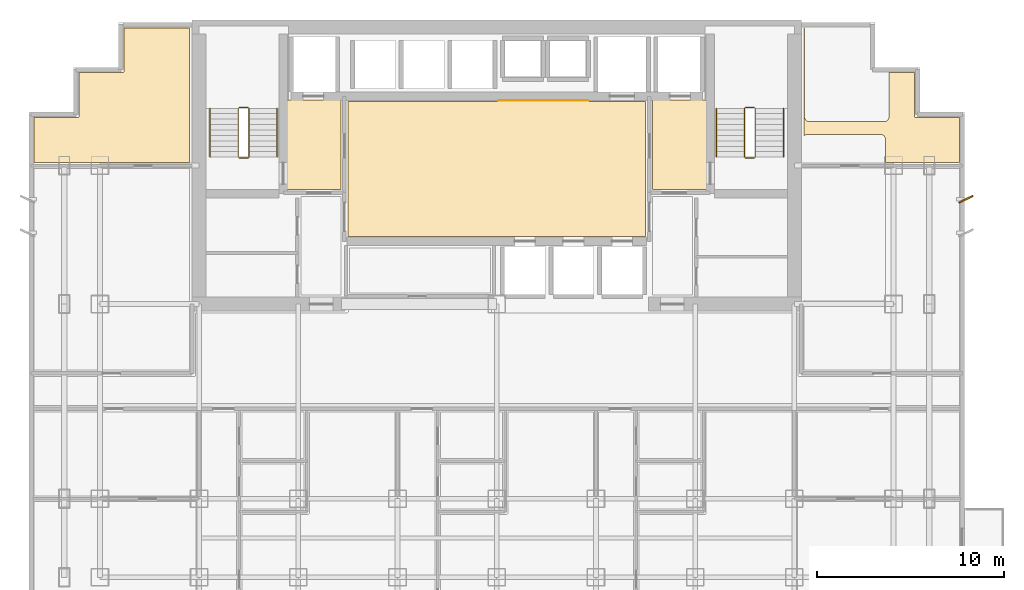
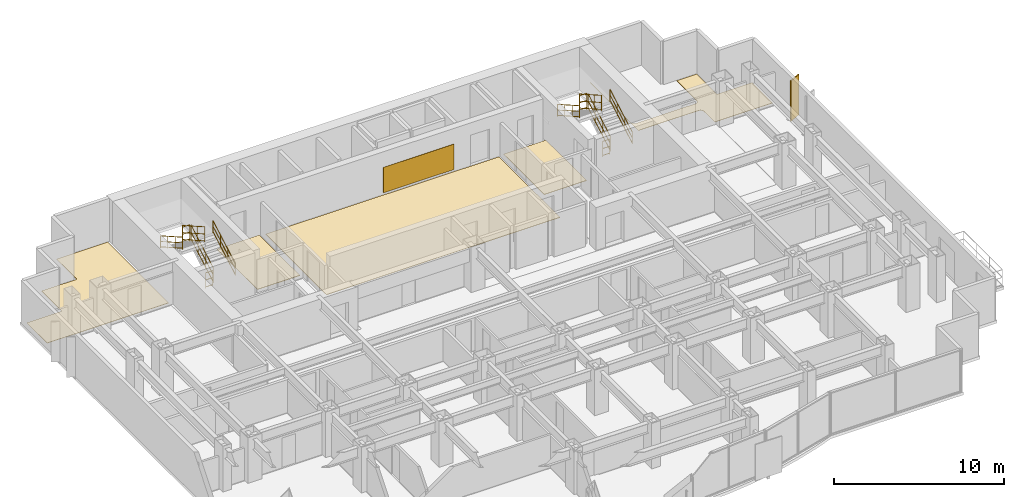
# One storey, part 9 of 9: 12 railings, 6 coverings, 1 shading device.
"""IFC4 building model written with IfcOpenShell, lengths in metres."""

from ifc_helpers import new_model, si_unit, direction, frame, origin, origin_2d, place, context, subcontext, project, spatial, polyline, rectangle, circle, outline, extrude, source, transform, mapped, material, layer, layer_set, type_object, element, save


model = new_model("IFC4")

# Units and contexts
model_context = context("Model", 3, precision=1e-05, world=origin(), true_north=direction((0.0, 1.0)))
body_context = subcontext(model_context, "Body", "Model", "MODEL_VIEW")
ifc_project = project(units=[si_unit("LENGTHUNIT", "METRE"), si_unit("AREAUNIT", "SQUARE_METRE"), si_unit("VOLUMEUNIT", "CUBIC_METRE"), si_unit("PLANEANGLEUNIT", "RADIAN"), si_unit("MASSUNIT", "GRAM", prefix="KILO")], contexts=[model_context])

# Site, building, storey
site_placement = place(None, origin())
site = spatial("IfcSite", under=ifc_project, at=site_placement, CompositionType="ELEMENT")
building_placement = place(site_placement, origin())
building = spatial("IfcBuilding", under=site, at=building_placement, Name="Qianlan Lanfeng Residences", CompositionType="ELEMENT")
storey_placement = place(building_placement, frame((0.0, 0.0, 108.10009765625)))
storey = spatial("IfcBuildingStorey", under=building, at=storey_placement, Name="L29", CompositionType="ELEMENT", Elevation=108.10009765625)

# Coverings
ifc_material_1 = material(Name="Anodised Bronze Feature Wall Cladding")
ifc_layer_1 = layer(ifc_material_1, 0.02490234375)
ifc_layer_set_1 = layer_set([ifc_layer_1], Name="Anodised Bronze Feature Wall Cladding")
covering_type_1 = type_object("IfcCoveringType", Name="CLD-BRZ-25", PredefinedType="CLADDING", material=ifc_layer_set_1)
covering_1_placement = place(storey_placement, frame((0.0, 0.0, 0.14990234375)))
element("IfcCovering", 1, at=covering_1_placement, inside=storey, type_object=covering_type_1, Name="L29 Lift Lobby Bronze Feature Cladding", PredefinedType="CLADDING", context=body_context, shape_type="SweptSolid", body=[
    extrude(outline(polyline([(26.60009765625, 36.050048828125), (31.39990234375, 36.050048828125), (31.39990234375, 36.074951171875), (26.60009765625, 36.074951171875), (26.60009765625, 36.050048828125)])), origin(), (0.0, 0.0, 1.0), 1.830078125),
])
ifc_material_2 = material(Name="Honed Taitung Granite Stone Flooring", Category="masonry")
ifc_layer_2 = layer(ifc_material_2, 0.030029296875)
ifc_layer_set_2 = layer_set([ifc_layer_2], Name="Honed Taitung Granite Stone Flooring")
covering_type_2 = type_object("IfcCoveringType", Name="FLR-STN-30", PredefinedType="FLOORING", material=ifc_layer_set_2)
covering_2_placement = place(storey_placement, origin())
element("IfcCovering", 2, at=covering_2_placement, inside=storey, type_object=covering_type_2, Name="L29 Firefighting Lift Lobby Floor Finish", PredefinedType="FLOORING", context=body_context, shape_type="SweptSolid", body=[
    extrude(outline(polyline([(15.2900390625, 31.320068359375), (18.179931640625, 31.320068359375), (18.179931640625, 36.110107421875), (15.2900390625, 36.110107421875), (15.2900390625, 31.320068359375)])), origin(), (0.0, 0.0, 1.0), 0.02978515625),
])
covering_3_placement = place(storey_placement, origin())
element("IfcCovering", 3, at=covering_3_placement, inside=storey, type_object=covering_type_2, Name="L29 Firefighting Lift Lobby Floor Finish", PredefinedType="FLOORING", context=body_context, shape_type="SweptSolid", body=[
    extrude(outline(polyline([(34.820068359375, 31.320068359375), (37.7099609375, 31.320068359375), (37.7099609375, 36.110107421875), (34.820068359375, 36.110107421875), (34.820068359375, 31.320068359375)])), origin(), (0.0, 0.0, 1.0), 0.02978515625),
])
covering_4_placement = place(storey_placement, origin())
element("IfcCovering", 4, at=covering_4_placement, inside=storey, type_object=covering_type_2, Name="L29 Lift Lobby Floor Finish", PredefinedType="FLOORING", context=body_context, shape_type="SweptSolid", body=[
    extrude(outline(polyline([(18.550048828125, 28.820068359375), (34.449951171875, 28.820068359375), (34.449951171875, 36.010009765625), (18.550048828125, 36.010009765625), (18.550048828125, 28.820068359375)])), origin(), (0.0, 0.0, 1.0), 0.02978515625),
])
ifc_material_3 = material(Name="Engineered Smoked Oak Timber Flooring", Category="wood")
ifc_layer_3 = layer(ifc_material_3, 0.02197265625)
ifc_layer_set_3 = layer_set([ifc_layer_3], Name="Engineered Smoked Oak Timber Flooring")
covering_type_3 = type_object("IfcCoveringType", Name="FLR-TIM-22", PredefinedType="FLOORING", material=ifc_layer_set_3)
covering_5_placement = place(storey_placement, origin())
element("IfcCovering", 5, at=covering_5_placement, inside=storey, type_object=covering_type_3, Name="L29 Resident Lounge Floor Finish", PredefinedType="FLOORING", context=body_context, shape_type="SweptSolid", body=[
    extrude(outline(polyline([(1.7900390625, 32.75), (10.074951171875, 32.75), (10.074951171875, 39.9599609375), (6.590087890625, 39.9599609375), (6.590087890625, 37.6298828125), (6.590087890625, 37.623046875), (6.589111328125, 37.615966796875), (6.5869140625, 37.610107421875), (6.5849609375, 37.60302734375), (6.58203125, 37.596923828125), (6.577880859375, 37.591064453125), (6.573974609375, 37.5859375), (6.569091796875, 37.5810546875), (6.56396484375, 37.575927734375), (6.55908203125, 37.572021484375), (6.552978515625, 37.568115234375), (6.547119140625, 37.56494140625), (6.5400390625, 37.56298828125), (6.533935546875, 37.56103515625), (6.527099609375, 37.56005859375), (6.52001953125, 37.56005859375), (4.18994140625, 37.56005859375), (4.18994140625, 35.22998046875), (4.18994140625, 35.222900390625), (4.18896484375, 35.216064453125), (4.18701171875, 35.2099609375), (4.18505859375, 35.202880859375), (4.181884765625, 35.197021484375), (4.177978515625, 35.19091796875), (4.174072265625, 35.18603515625), (4.1689453125, 35.180908203125), (4.1640625, 35.176025390625), (4.158935546875, 35.172119140625), (4.153076171875, 35.16796875), (4.14697265625, 35.1650390625), (4.139892578125, 35.1630859375), (4.134033203125, 35.160888671875), (4.126953125, 35.159912109375), (4.1201171875, 35.159912109375), (1.7900390625, 35.159912109375), (1.7900390625, 32.75)])), origin(), (0.0, 0.0, 1.0), 0.02197265625),
])
covering_6_placement = place(storey_placement, origin())
element("IfcCovering", 6, at=covering_6_placement, inside=storey, type_object=covering_type_3, Name="L29 Resident Lounge Floor Finish", PredefinedType="FLOORING", context=body_context, shape_type="SweptSolid", body=[
    extrude(outline(polyline([(42.925048828125, 34.196044921875), (42.94091796875, 34.2080078125), (42.9619140625, 34.219970703125), (42.98388671875, 34.23095703125), (43.007080078125, 34.239013671875), (43.031005859375, 34.2451171875), (43.054931640625, 34.2490234375), (43.080078125, 34.25), (47.02001953125, 34.25), (47.044921875, 34.2490234375), (47.069091796875, 34.2451171875), (47.093017578125, 34.239013671875), (47.115966796875, 34.23095703125), (47.137939453125, 34.219970703125), (47.158935546875, 34.2080078125), (47.178955078125, 34.193115234375), (47.197021484375, 34.177001953125), (47.212890625, 34.158935546875), (47.22802734375, 34.138916015625), (47.239990234375, 34.117919921875), (47.2509765625, 34.095947265625), (47.259033203125, 34.072998046875), (47.264892578125, 34.049072265625), (47.26904296875, 34.02490234375), (47.27001953125, 34.0), (47.27001953125, 32.75), (51.2099609375, 32.75), (51.2099609375, 35.159912109375), (48.8798828125, 35.159912109375), (48.873046875, 35.159912109375), (48.865966796875, 35.160888671875), (48.860107421875, 35.1630859375), (48.85302734375, 35.1650390625), (48.846923828125, 35.16796875), (48.841064453125, 35.172119140625), (48.8359375, 35.176025390625), (48.8310546875, 35.180908203125), (48.825927734375, 35.18603515625), (48.822021484375, 35.19091796875), (48.818115234375, 35.197021484375), (48.81494140625, 35.202880859375), (48.81298828125, 35.2099609375), (48.81103515625, 35.216064453125), (48.81005859375, 35.222900390625), (48.81005859375, 35.22998046875), (48.81005859375, 37.56005859375), (47.449951171875, 37.56005859375), (47.449951171875, 35.199951171875), (47.448974609375, 35.175048828125), (47.445068359375, 35.15087890625), (47.43896484375, 35.126953125), (47.430908203125, 35.10400390625), (47.419921875, 35.08203125), (47.407958984375, 35.06103515625), (47.39306640625, 35.041015625), (47.376953125, 35.02294921875), (47.35888671875, 35.007080078125), (47.339111328125, 34.991943359375), (47.318115234375, 34.97998046875), (47.2958984375, 34.968994140625), (47.27294921875, 34.9609375), (47.2490234375, 34.955078125), (47.22509765625, 34.950927734375), (47.199951171875, 34.949951171875), (43.199951171875, 34.949951171875), (43.175048828125, 34.950927734375), (43.15087890625, 34.955078125), (43.126953125, 34.9609375), (43.10400390625, 34.968994140625), (43.08203125, 34.97998046875), (43.06103515625, 34.991943359375), (43.041015625, 35.007080078125), (43.02294921875, 35.02294921875), (43.007080078125, 35.041015625), (42.991943359375, 35.06103515625), (42.97998046875, 35.08203125), (42.968994140625, 35.10400390625), (42.9609375, 35.126953125), (42.955078125, 35.15087890625), (42.950927734375, 35.175048828125), (42.949951171875, 35.199951171875), (42.949951171875, 39.9599609375), (42.925048828125, 39.9599609375), (42.925048828125, 34.196044921875)])), origin(), (0.0, 0.0, 1.0), 0.02197265625),
])

# Railings
ifc_material_4 = material(Name="Painted Galvanised Steel Guardrail", Category="steel")
railing_type_1 = type_object("IfcRailingType", Name="GR-ST-1120", PredefinedType="GUARDRAIL", material=ifc_material_4)
railing_1_placement = place(storey_placement, frame((13.27001953125, 33.050048828125, 0.164794921875)))
element("IfcRailing", 7, at=railing_1_placement, inside=storey, type_object=railing_type_1, Name="L29 ST-1 stair guard 1", PredefinedType="GUARDRAIL", context=body_context, shape_type="SweptSolid", body=[
    extrude(circle(Radius=0.02392578125, at=origin_2d()), frame((0.0, 0.0, 0.083984375), z_axis=(0.0, 0.869137319866, 0.494570843475), x_axis=(-1.0, 0.0, 0.0)), (0.0, 0.0, 1.0), 3.0029296875),
    extrude(circle(Radius=0.02392578125, at=origin_2d()), frame((0.0, 0.0, 0.58251953125), z_axis=(0.0, 0.869137319866, 0.494570843475), x_axis=(-1.0, 0.0, 0.0)), (0.0, 0.0, 1.0), 3.0029296875),
    extrude(circle(Radius=0.02392578125, at=origin_2d()), frame((0.0, 0.0, 1.09619140625), z_axis=(0.0, 0.869137319866, 0.494570843475), x_axis=(-1.0, 0.0, 0.0)), (0.0, 0.0, 1.0), 3.0029296875),
    extrude(circle(Radius=0.02099609375, at=origin_2d()), origin(), (0.0, 0.0, 1.0), 1.072021484375),
    extrude(circle(Radius=0.02099609375, at=origin_2d()), frame((0.0, 0.869873046875, 0.4951171875)), (0.0, 0.0, 1.0), 1.072021484375),
    extrude(circle(Radius=0.02099609375, at=origin_2d()), frame((0.0, 1.739990234375, 0.989990234375)), (0.0, 0.0, 1.0), 1.072021484375),
    extrude(circle(Radius=0.02099609375, at=origin_2d()), frame((0.0, 2.60986328125, 1.485107421875)), (0.0, 0.0, 1.0), 1.072021484375),
])
railing_2_placement = place(storey_placement, frame((13.219970703125, 35.7099609375, 1.64990234375)))
element("IfcRailing", 8, at=railing_2_placement, inside=storey, type_object=railing_type_1, Name="L29 ST-1 stair guard 2", PredefinedType="GUARDRAIL", context=body_context, shape_type="SweptSolid", body=[
    extrude(circle(Radius=0.02392578125, at=origin_2d()), frame((0.0, 0.0, 0.083984375), z_axis=(-1.0, 0.0, 0.0), x_axis=(0.0, -1.0, 0.0)), (0.0, 0.0, 1.0), 0.47998046875),
    extrude(circle(Radius=0.02392578125, at=origin_2d()), frame((0.0, 0.0, 0.58251953125), z_axis=(-1.0, 0.0, 0.0), x_axis=(0.0, -1.0, 0.0)), (0.0, 0.0, 1.0), 0.47998046875),
    extrude(circle(Radius=0.02392578125, at=origin_2d()), frame((0.0, 0.0, 1.09619140625), z_axis=(-1.0, 0.0, 0.0), x_axis=(0.0, -1.0, 0.0)), (0.0, 0.0, 1.0), 0.47998046875),
    extrude(circle(Radius=0.02099609375, at=origin_2d()), origin(), (0.0, 0.0, 1.0), 1.072021484375),
    extrude(circle(Radius=0.02099609375, at=origin_2d()), frame((-0.47998046875, 0.0, 0.0)), (0.0, 0.0, 1.0), 1.072021484375),
])
railing_3_placement = place(storey_placement, frame((12.68994140625, 35.659912109375, 1.81494140625)))
element("IfcRailing", 9, at=railing_3_placement, inside=storey, type_object=railing_type_1, Name="L29 ST-1 stair guard 3", PredefinedType="GUARDRAIL", context=body_context, shape_type="SweptSolid", body=[
    extrude(circle(Radius=0.02392578125, at=origin_2d()), frame((0.0, 0.0, 0.083984375), z_axis=(0.0, -0.869172267526, 0.494509422927), x_axis=(1.0, 0.0, 0.0)), (0.0, 0.0, 1.0), 3.002685546875),
    extrude(circle(Radius=0.02392578125, at=origin_2d()), frame((0.0, 0.0, 0.58251953125), z_axis=(0.0, -0.869172267526, 0.494509422927), x_axis=(1.0, 0.0, 0.0)), (0.0, 0.0, 1.0), 3.002685546875),
    extrude(circle(Radius=0.02392578125, at=origin_2d()), frame((0.0, 0.0, 1.09619140625), z_axis=(0.0, -0.869172267526, 0.494509422927), x_axis=(1.0, 0.0, 0.0)), (0.0, 0.0, 1.0), 3.002685546875),
    extrude(circle(Radius=0.02099609375, at=origin_2d()), origin(), (0.0, 0.0, 1.0), 1.072021484375),
    extrude(circle(Radius=0.02099609375, at=origin_2d()), frame((0.0, -0.869873046875, 0.494873046875)), (0.0, 0.0, 1.0), 1.072021484375),
    extrude(circle(Radius=0.02099609375, at=origin_2d()), frame((0.0, -1.739990234375, 0.989990234375)), (0.0, 0.0, 1.0), 1.072021484375),
    extrude(circle(Radius=0.02099609375, at=origin_2d()), frame((0.0, -2.60986328125, 1.48486328125)), (0.0, 0.0, 1.0), 1.072021484375),
])
railing_4_placement = place(storey_placement, frame((13.219970703125, 33.0, 0.0)))
element("IfcRailing", 10, at=railing_4_placement, inside=storey, type_object=railing_type_1, Name="L29 ST-1 stair guard 4", PredefinedType="GUARDRAIL", context=body_context, shape_type="SweptSolid", body=[
    extrude(circle(Radius=0.02392578125, at=origin_2d()), frame((0.0, 0.0, 0.083984375), z_axis=(-1.0, 0.0, 0.0), x_axis=(0.0, -1.0, 0.0)), (0.0, 0.0, 1.0), 0.47998046875),
    extrude(circle(Radius=0.02392578125, at=origin_2d()), frame((0.0, 0.0, 0.58251953125), z_axis=(-1.0, 0.0, 0.0), x_axis=(0.0, -1.0, 0.0)), (0.0, 0.0, 1.0), 0.47998046875),
    extrude(circle(Radius=0.02392578125, at=origin_2d()), frame((0.0, 0.0, 1.09619140625), z_axis=(-1.0, 0.0, 0.0), x_axis=(0.0, -1.0, 0.0)), (0.0, 0.0, 1.0), 0.47998046875),
    extrude(circle(Radius=0.02099609375, at=origin_2d()), origin(), (0.0, 0.0, 1.0), 1.072021484375),
    extrude(circle(Radius=0.02099609375, at=origin_2d()), frame((-0.47998046875, 0.0, 0.0)), (0.0, 0.0, 1.0), 1.072021484375),
])
railing_5_placement = place(storey_placement, frame((40.31005859375, 33.050048828125, 0.164794921875)))
element("IfcRailing", 11, at=railing_5_placement, inside=storey, type_object=railing_type_1, Name="L29 ST-2 stair guard 1", PredefinedType="GUARDRAIL", context=body_context, shape_type="SweptSolid", body=[
    extrude(circle(Radius=0.02392578125, at=origin_2d()), frame((0.0, 0.0, 0.083984375), z_axis=(0.0, 0.869137319866, 0.494570843475), x_axis=(-1.0, 0.0, 0.0)), (0.0, 0.0, 1.0), 3.0029296875),
    extrude(circle(Radius=0.02392578125, at=origin_2d()), frame((0.0, 0.0, 0.58251953125), z_axis=(0.0, 0.869137319866, 0.494570843475), x_axis=(-1.0, 0.0, 0.0)), (0.0, 0.0, 1.0), 3.0029296875),
    extrude(circle(Radius=0.02392578125, at=origin_2d()), frame((0.0, 0.0, 1.09619140625), z_axis=(0.0, 0.869137319866, 0.494570843475), x_axis=(-1.0, 0.0, 0.0)), (0.0, 0.0, 1.0), 3.0029296875),
    extrude(circle(Radius=0.02099609375, at=origin_2d()), origin(), (0.0, 0.0, 1.0), 1.072021484375),
    extrude(circle(Radius=0.02099609375, at=origin_2d()), frame((0.0, 0.869873046875, 0.4951171875)), (0.0, 0.0, 1.0), 1.072021484375),
    extrude(circle(Radius=0.02099609375, at=origin_2d()), frame((0.0, 1.739990234375, 0.989990234375)), (0.0, 0.0, 1.0), 1.072021484375),
    extrude(circle(Radius=0.02099609375, at=origin_2d()), frame((0.0, 2.60986328125, 1.485107421875)), (0.0, 0.0, 1.0), 1.072021484375),
])
railing_6_placement = place(storey_placement, frame((40.260009765625, 35.7099609375, 1.64990234375)))
element("IfcRailing", 12, at=railing_6_placement, inside=storey, type_object=railing_type_1, Name="L29 ST-2 stair guard 2", PredefinedType="GUARDRAIL", context=body_context, shape_type="SweptSolid", body=[
    extrude(circle(Radius=0.02392578125, at=origin_2d()), frame((0.0, 0.0, 0.083984375), z_axis=(-1.0, 0.0, 0.0), x_axis=(0.0, -1.0, 0.0)), (0.0, 0.0, 1.0), 0.47998046875),
    extrude(circle(Radius=0.02392578125, at=origin_2d()), frame((0.0, 0.0, 0.58251953125), z_axis=(-1.0, 0.0, 0.0), x_axis=(0.0, -1.0, 0.0)), (0.0, 0.0, 1.0), 0.47998046875),
    extrude(circle(Radius=0.02392578125, at=origin_2d()), frame((0.0, 0.0, 1.09619140625), z_axis=(-1.0, 0.0, 0.0), x_axis=(0.0, -1.0, 0.0)), (0.0, 0.0, 1.0), 0.47998046875),
    extrude(circle(Radius=0.02099609375, at=origin_2d()), origin(), (0.0, 0.0, 1.0), 1.072021484375),
    extrude(circle(Radius=0.02099609375, at=origin_2d()), frame((-0.47998046875, 0.0, 0.0)), (0.0, 0.0, 1.0), 1.072021484375),
])
railing_7_placement = place(storey_placement, frame((39.72998046875, 35.659912109375, 1.81494140625)))
element("IfcRailing", 13, at=railing_7_placement, inside=storey, type_object=railing_type_1, Name="L29 ST-2 stair guard 3", PredefinedType="GUARDRAIL", context=body_context, shape_type="SweptSolid", body=[
    extrude(circle(Radius=0.02392578125, at=origin_2d()), frame((0.0, 0.0, 0.083984375), z_axis=(0.0, -0.869172267526, 0.494509422927), x_axis=(1.0, 0.0, 0.0)), (0.0, 0.0, 1.0), 3.002685546875),
    extrude(circle(Radius=0.02392578125, at=origin_2d()), frame((0.0, 0.0, 0.58251953125), z_axis=(0.0, -0.869172267526, 0.494509422927), x_axis=(1.0, 0.0, 0.0)), (0.0, 0.0, 1.0), 3.002685546875),
    extrude(circle(Radius=0.02392578125, at=origin_2d()), frame((0.0, 0.0, 1.09619140625), z_axis=(0.0, -0.869172267526, 0.494509422927), x_axis=(1.0, 0.0, 0.0)), (0.0, 0.0, 1.0), 3.002685546875),
    extrude(circle(Radius=0.02099609375, at=origin_2d()), origin(), (0.0, 0.0, 1.0), 1.072021484375),
    extrude(circle(Radius=0.02099609375, at=origin_2d()), frame((0.0, -0.869873046875, 0.494873046875)), (0.0, 0.0, 1.0), 1.072021484375),
    extrude(circle(Radius=0.02099609375, at=origin_2d()), frame((0.0, -1.739990234375, 0.989990234375)), (0.0, 0.0, 1.0), 1.072021484375),
    extrude(circle(Radius=0.02099609375, at=origin_2d()), frame((0.0, -2.60986328125, 1.48486328125)), (0.0, 0.0, 1.0), 1.072021484375),
])
railing_8_placement = place(storey_placement, frame((40.260009765625, 33.0, 0.0)))
element("IfcRailing", 14, at=railing_8_placement, inside=storey, type_object=railing_type_1, Name="L29 ST-2 stair guard 4", PredefinedType="GUARDRAIL", context=body_context, shape_type="SweptSolid", body=[
    extrude(circle(Radius=0.02392578125, at=origin_2d()), frame((0.0, 0.0, 0.083984375), z_axis=(-1.0, 0.0, 0.0), x_axis=(0.0, -1.0, 0.0)), (0.0, 0.0, 1.0), 0.47998046875),
    extrude(circle(Radius=0.02392578125, at=origin_2d()), frame((0.0, 0.0, 0.58251953125), z_axis=(-1.0, 0.0, 0.0), x_axis=(0.0, -1.0, 0.0)), (0.0, 0.0, 1.0), 0.47998046875),
    extrude(circle(Radius=0.02392578125, at=origin_2d()), frame((0.0, 0.0, 1.09619140625), z_axis=(-1.0, 0.0, 0.0), x_axis=(0.0, -1.0, 0.0)), (0.0, 0.0, 1.0), 0.47998046875),
    extrude(circle(Radius=0.02099609375, at=origin_2d()), origin(), (0.0, 0.0, 1.0), 1.072021484375),
    extrude(circle(Radius=0.02099609375, at=origin_2d()), frame((-0.47998046875, 0.0, 0.0)), (0.0, 0.0, 1.0), 1.072021484375),
])
ifc_material_5 = material(Name="Brushed Stainless Steel Handrail", Category="steel")
railing_type_2 = type_object("IfcRailingType", Name="HR-ST-920", PredefinedType="HANDRAIL", material=ifc_material_5)
railing_9_placement = place(storey_placement, frame((14.77001953125, 33.050048828125, 0.164794921875)))
element("IfcRailing", 15, at=railing_9_placement, inside=storey, type_object=railing_type_2, Name="L29 ST-1 stair handrail 1", PredefinedType="HANDRAIL", context=body_context, shape_type="SweptSolid", body=[
    extrude(circle(Radius=0.02392578125, at=origin_2d()), frame((0.0, 0.0, 0.083984375), z_axis=(0.0, 0.869137319866, 0.494570843475), x_axis=(-1.0, 0.0, 0.0)), (0.0, 0.0, 1.0), 3.0029296875),
    extrude(circle(Radius=0.02392578125, at=origin_2d()), frame((0.0, 0.0, 0.468017578125), z_axis=(0.0, 0.869137319866, 0.494570843475), x_axis=(-1.0, 0.0, 0.0)), (0.0, 0.0, 1.0), 3.0029296875),
    extrude(circle(Radius=0.02392578125, at=origin_2d()), frame((0.0, 0.0, 0.8759765625), z_axis=(0.0, 0.869137319866, 0.494570843475), x_axis=(-1.0, 0.0, 0.0)), (0.0, 0.0, 1.0), 3.0029296875),
    extrude(circle(Radius=0.02099609375, at=origin_2d()), origin(), (0.0, 0.0, 1.0), 0.851806640625),
    extrude(circle(Radius=0.02099609375, at=origin_2d()), frame((0.0, 0.869873046875, 0.4951171875)), (0.0, 0.0, 1.0), 0.851806640625),
    extrude(circle(Radius=0.02099609375, at=origin_2d()), frame((0.0, 1.739990234375, 0.989990234375)), (0.0, 0.0, 1.0), 0.851806640625),
    extrude(circle(Radius=0.02099609375, at=origin_2d()), frame((0.0, 2.60986328125, 1.485107421875)), (0.0, 0.0, 1.0), 0.851806640625),
])
railing_10_placement = place(storey_placement, frame((11.18994140625, 35.659912109375, 1.81494140625)))
element("IfcRailing", 16, at=railing_10_placement, inside=storey, type_object=railing_type_2, Name="L29 ST-1 stair handrail 2", PredefinedType="HANDRAIL", context=body_context, shape_type="SweptSolid", body=[
    extrude(circle(Radius=0.02392578125, at=origin_2d()), frame((0.0, 0.0, 0.083984375), z_axis=(0.0, -0.869172267526, 0.494509422927), x_axis=(1.0, 0.0, 0.0)), (0.0, 0.0, 1.0), 3.002685546875),
    extrude(circle(Radius=0.02392578125, at=origin_2d()), frame((0.0, 0.0, 0.468017578125), z_axis=(0.0, -0.869172267526, 0.494509422927), x_axis=(1.0, 0.0, 0.0)), (0.0, 0.0, 1.0), 3.002685546875),
    extrude(circle(Radius=0.02392578125, at=origin_2d()), frame((0.0, 0.0, 0.8759765625), z_axis=(0.0, -0.869172267526, 0.494509422927), x_axis=(1.0, 0.0, 0.0)), (0.0, 0.0, 1.0), 3.002685546875),
    extrude(circle(Radius=0.02099609375, at=origin_2d()), origin(), (0.0, 0.0, 1.0), 0.851806640625),
    extrude(circle(Radius=0.02099609375, at=origin_2d()), frame((0.0, -0.869873046875, 0.494873046875)), (0.0, 0.0, 1.0), 0.851806640625),
    extrude(circle(Radius=0.02099609375, at=origin_2d()), frame((0.0, -1.739990234375, 0.989990234375)), (0.0, 0.0, 1.0), 0.851806640625),
    extrude(circle(Radius=0.02099609375, at=origin_2d()), frame((0.0, -2.60986328125, 1.48486328125)), (0.0, 0.0, 1.0), 0.851806640625),
])
railing_11_placement = place(storey_placement, frame((41.81005859375, 33.050048828125, 0.164794921875)))
element("IfcRailing", 17, at=railing_11_placement, inside=storey, type_object=railing_type_2, Name="L29 ST-2 stair handrail 1", PredefinedType="HANDRAIL", context=body_context, shape_type="SweptSolid", body=[
    extrude(circle(Radius=0.02392578125, at=origin_2d()), frame((0.0, 0.0, 0.083984375), z_axis=(0.0, 0.869137319866, 0.494570843475), x_axis=(-1.0, 0.0, 0.0)), (0.0, 0.0, 1.0), 3.0029296875),
    extrude(circle(Radius=0.02392578125, at=origin_2d()), frame((0.0, 0.0, 0.468017578125), z_axis=(0.0, 0.869137319866, 0.494570843475), x_axis=(-1.0, 0.0, 0.0)), (0.0, 0.0, 1.0), 3.0029296875),
    extrude(circle(Radius=0.02392578125, at=origin_2d()), frame((0.0, 0.0, 0.8759765625), z_axis=(0.0, 0.869137319866, 0.494570843475), x_axis=(-1.0, 0.0, 0.0)), (0.0, 0.0, 1.0), 3.0029296875),
    extrude(circle(Radius=0.02099609375, at=origin_2d()), origin(), (0.0, 0.0, 1.0), 0.851806640625),
    extrude(circle(Radius=0.02099609375, at=origin_2d()), frame((0.0, 0.869873046875, 0.4951171875)), (0.0, 0.0, 1.0), 0.851806640625),
    extrude(circle(Radius=0.02099609375, at=origin_2d()), frame((0.0, 1.739990234375, 0.989990234375)), (0.0, 0.0, 1.0), 0.851806640625),
    extrude(circle(Radius=0.02099609375, at=origin_2d()), frame((0.0, 2.60986328125, 1.485107421875)), (0.0, 0.0, 1.0), 0.851806640625),
])
railing_12_placement = place(storey_placement, frame((38.22998046875, 35.659912109375, 1.81494140625)))
element("IfcRailing", 18, at=railing_12_placement, inside=storey, type_object=railing_type_2, Name="L29 ST-2 stair handrail 2", PredefinedType="HANDRAIL", context=body_context, shape_type="SweptSolid", body=[
    extrude(circle(Radius=0.02392578125, at=origin_2d()), frame((0.0, 0.0, 0.083984375), z_axis=(0.0, -0.869172267526, 0.494509422927), x_axis=(1.0, 0.0, 0.0)), (0.0, 0.0, 1.0), 3.002685546875),
    extrude(circle(Radius=0.02392578125, at=origin_2d()), frame((0.0, 0.0, 0.468017578125), z_axis=(0.0, -0.869172267526, 0.494509422927), x_axis=(1.0, 0.0, 0.0)), (0.0, 0.0, 1.0), 3.002685546875),
    extrude(circle(Radius=0.02392578125, at=origin_2d()), frame((0.0, 0.0, 0.8759765625), z_axis=(0.0, -0.869172267526, 0.494509422927), x_axis=(1.0, 0.0, 0.0)), (0.0, 0.0, 1.0), 3.002685546875),
    extrude(circle(Radius=0.02099609375, at=origin_2d()), origin(), (0.0, 0.0, 1.0), 0.851806640625),
    extrude(circle(Radius=0.02099609375, at=origin_2d()), frame((0.0, -0.869873046875, 0.494873046875)), (0.0, 0.0, 1.0), 0.851806640625),
    extrude(circle(Radius=0.02099609375, at=origin_2d()), frame((0.0, -1.739990234375, 0.989990234375)), (0.0, 0.0, 1.0), 0.851806640625),
    extrude(circle(Radius=0.02099609375, at=origin_2d()), frame((0.0, -2.60986328125, 1.48486328125)), (0.0, 0.0, 1.0), 0.851806640625),
])

# Shading device
ifc_material_6 = material(Name="Anodised Bronze Aluminium Solar Fin", Category="aluminium")
shading_device_type = type_object("IfcShadingDeviceType", Name="FIN-BRZ-850", PredefinedType="SHUTTER", material=ifc_material_6)
shared_shape = source(origin(), body_context, "Body", "SweptSolid", [
    extrude(rectangle(XDim=0.85009765625, YDim=0.080078125, at=origin_2d()), origin(), (0.0, 0.0, 1.0), 2.89990234375),
])
shading_device_placement = place(storey_placement, frame((51.570068359375, 30.800048828125, 0.0), z_axis=(0.0, 0.0, 1.0), x_axis=(0.898794046299, 0.438371146789, 0.0)))
element("IfcShadingDevice", 19, at=shading_device_placement, inside=storey, type_object=shading_device_type, Name="L29 Raked Bronze Solar Fin E2", PredefinedType="SHUTTER", context=body_context, shape_type="MappedRepresentation", body=[
    mapped(shared_shape, transform((0.0, 0.0, 0.0), scale=1.0)),
])

save(model, "model.ifc")
